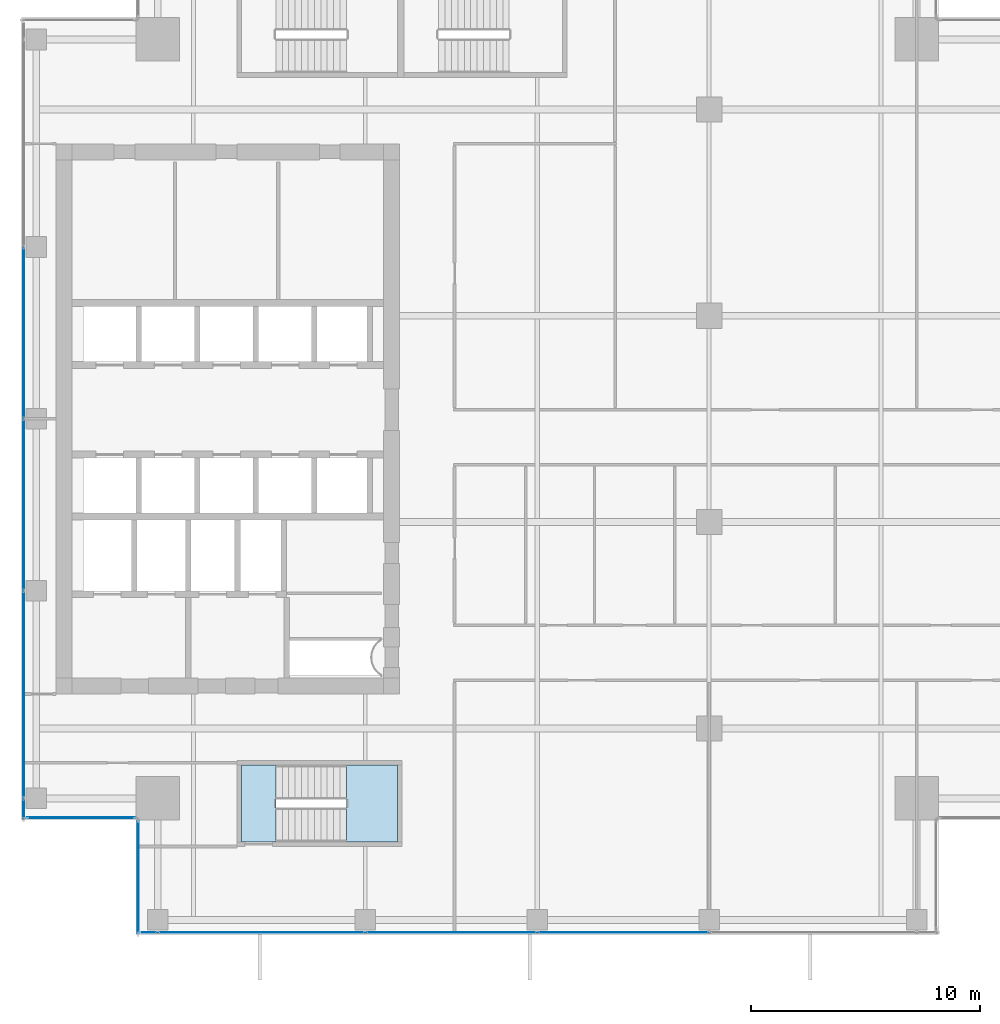
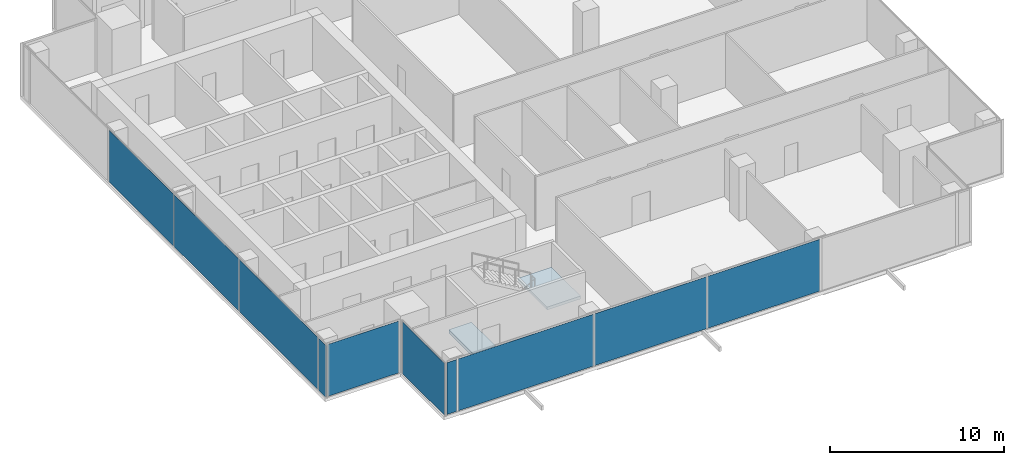
# One storey, part 25 of 34: 10 plates, 2 slabs, 5 elements without a shape of their own.
"""IFC4 building model written with IfcOpenShell, lengths in metres."""

from ifc_helpers import new_model, si_unit, direction, frame, origin, origin_2d, place, context, subcontext, project, spatial, polyline, rectangle, outline, extrude, source, transform, mapped, material, layer, layer_set, type_object, element, aggregate, save


model = new_model("IFC4")

# Units and contexts
model_context = context("Model", 3, precision=1e-05, world=origin(), true_north=direction((0.0, 1.0)))
body_context = subcontext(model_context, "Body", "Model", "MODEL_VIEW")
ifc_project = project(units=[si_unit("LENGTHUNIT", "METRE"), si_unit("AREAUNIT", "SQUARE_METRE"), si_unit("VOLUMEUNIT", "CUBIC_METRE"), si_unit("PLANEANGLEUNIT", "RADIAN"), si_unit("MASSUNIT", "GRAM", prefix="KILO")], contexts=[model_context])

# Site, building, storey
site_placement = place(None, origin())
site = spatial("IfcSite", under=ifc_project, at=site_placement, CompositionType="ELEMENT")
building_placement = place(site_placement, origin())
building = spatial("IfcBuilding", under=site, at=building_placement, Name="Khomas Fold Tower", CompositionType="ELEMENT")
storey_placement = place(building_placement, frame((0.0, 0.0, 242.199951171875)))
storey = spatial("IfcBuildingStorey", under=building, at=storey_placement, Name="L54", CompositionType="ELEMENT", Elevation=242.199951171875)

# Curtain wall, plates
ifc_material_1 = material(Name="Aluminium framed double glazing", Category="aluminium")
curtain_wall_type = type_object("IfcCurtainWallType", Name="SK-Unitised clear-glass wall, office floors CW2", PredefinedType="NOTDEFINED", material=ifc_material_1)
curtain_wall_1_placement = place(storey_placement, origin())
curtain_wall_1 = element("IfcCurtainWall", 1, at=curtain_wall_1_placement, inside=storey, type_object=curtain_wall_type, Name="CW2 run L54 00-0", PredefinedType="NOTDEFINED")
ifc_material_2 = material(Name="Clear double glazed unit")
ifc_layer_1 = layer(ifc_material_2, 0.030029296875)
ifc_layer_set_1 = layer_set([ifc_layer_1], Name="Clear double glazed unit")
plate_type = type_object("IfcPlateType", Name="SK-Unitised clear-glass wall, office floors glass panel CW2-P", PredefinedType="CURTAIN_PANEL", material=ifc_layer_set_1)
shared_shape_1 = source(origin(), body_context, "Body", "SweptSolid", [
    extrude(rectangle(XDim=0.659912109375, YDim=0.030029296875, at=origin_2d()), origin(), (0.0, 0.0, 1.0), 3.639892578125),
])
plate_1_placement = place(storey_placement, frame((10.090087890625, 4.60009765625, 0.0), z_axis=(0.0, 0.0, 1.0), x_axis=(1.0, 0.0, 0.0)))
plate_1 = element("IfcPlate", 2, at=plate_1_placement, type_object=plate_type, Name="CW2 glass panel 1", PredefinedType="CURTAIN_PANEL", context=body_context, shape_type="MappedRepresentation", body=[
    mapped(shared_shape_1, transform((0.0, 0.0, 0.0))),
])
shared_shape_2 = source(origin(), body_context, "Body", "SweptSolid", [
    extrude(rectangle(XDim=7.43994140625, YDim=0.030029296875, at=origin_2d()), origin(), (0.0, 0.0, 1.0), 3.639892578125),
])
plate_2_placement = place(storey_placement, frame((23.25, 4.60009765625, 0.0), z_axis=(0.0, 0.0, 1.0), x_axis=(1.0, 0.0, 0.0)))
plate_2 = element("IfcPlate", 3, at=plate_2_placement, type_object=plate_type, Name="CW2 glass panel 3", PredefinedType="CURTAIN_PANEL", context=body_context, shape_type="MappedRepresentation", body=[
    mapped(shared_shape_2, transform((0.0, 0.0, 0.0))),
])
plate_3_placement = place(storey_placement, frame((30.75, 4.60009765625, 0.0), z_axis=(0.0, 0.0, 1.0), x_axis=(1.0, 0.0, 0.0)))
plate_3 = element("IfcPlate", 4, at=plate_3_placement, type_object=plate_type, Name="CW2 glass panel 4", PredefinedType="CURTAIN_PANEL", context=body_context, shape_type="MappedRepresentation", body=[
    mapped(shared_shape_2, transform((0.0, 0.0, 0.0))),
])

curtain_wall_2_placement = place(storey_placement, origin())
curtain_wall_2 = element("IfcCurtainWall", 5, at=curtain_wall_2_placement, inside=storey, type_object=curtain_wall_type, Name="CW2 run L54 09-0", PredefinedType="NOTDEFINED")
plate_4_placement = place(storey_placement, frame((4.60009765625, 30.75, 0.0), z_axis=(0.0, 0.0, 1.0), x_axis=(0.0, -1.0, 0.0)))
plate_4 = element("IfcPlate", 6, at=plate_4_placement, type_object=plate_type, Name="CW2 glass panel 3", PredefinedType="CURTAIN_PANEL", context=body_context, shape_type="MappedRepresentation", body=[
    mapped(shared_shape_2, transform((0.0, 0.0, 0.0))),
])
plate_5_placement = place(storey_placement, frame((4.60009765625, 23.25, 0.0), z_axis=(0.0, 0.0, 1.0), x_axis=(0.0, -1.0, 0.0)))
plate_5 = element("IfcPlate", 7, at=plate_5_placement, type_object=plate_type, Name="CW2 glass panel 4", PredefinedType="CURTAIN_PANEL", context=body_context, shape_type="MappedRepresentation", body=[
    mapped(shared_shape_2, transform((0.0, 0.0, 0.0))),
])
shared_shape_3 = source(origin(), body_context, "Body", "SweptSolid", [
    extrude(rectangle(XDim=0.860107421875, YDim=0.030029296875, at=origin_2d()), origin(), (0.0, 0.0, 1.0), 3.639892578125),
])
plate_6_placement = place(storey_placement, frame((4.60009765625, 9.989990234375, 0.0), z_axis=(0.0, 0.0, 1.0), x_axis=(0.0, -1.0, 0.0)))
plate_6 = element("IfcPlate", 8, at=plate_6_placement, type_object=plate_type, Name="CW2 glass panel 6", PredefinedType="CURTAIN_PANEL", context=body_context, shape_type="MappedRepresentation", body=[
    mapped(shared_shape_3, transform((0.0, 0.0, 0.0))),
])

# Plate
shared_shape_4 = source(origin(), body_context, "Body", "SweptSolid", [
    extrude(rectangle(XDim=8.989990234375, YDim=0.030029296875, at=origin_2d()), origin(), (0.0, 0.0, 1.0), 3.639892578125),
])
plate_7_placement = place(storey_placement, frame((14.97509765625, 4.60009765625, 0.0), z_axis=(0.0, 0.0, 1.0), x_axis=(1.0, 0.0, 0.0)))
plate_7 = element("IfcPlate", 9, at=plate_7_placement, type_object=plate_type, Name="CW2 glass panel 2", PredefinedType="CURTAIN_PANEL", context=body_context, shape_type="MappedRepresentation", body=[
    mapped(shared_shape_4, transform((0.0, 0.0, 0.0))),
])

aggregate(curtain_wall_1, [plate_1, plate_7, plate_2, plate_3])

plate_8_placement = place(storey_placement, frame((4.60009765625, 14.97509765625, 0.0), z_axis=(0.0, 0.0, 1.0), x_axis=(0.0, -1.0, 0.0)))
plate_8 = element("IfcPlate", 10, at=plate_8_placement, type_object=plate_type, Name="CW2 glass panel 5", PredefinedType="CURTAIN_PANEL", context=body_context, shape_type="MappedRepresentation", body=[
    mapped(shared_shape_4, transform((0.0, 0.0, 0.0))),
])

aggregate(curtain_wall_2, [plate_4, plate_5, plate_8, plate_6])

# Curtain wall, plate
curtain_wall_3_placement = place(storey_placement, origin())
curtain_wall_3 = element("IfcCurtainWall", 11, at=curtain_wall_3_placement, inside=storey, type_object=curtain_wall_type, Name="CW2 corner return L54 10", PredefinedType="NOTDEFINED")
shared_shape_5 = source(origin(), body_context, "Body", "SweptSolid", [
    extrude(rectangle(XDim=4.679931640625, YDim=0.030029296875, at=origin_2d()), origin(), (0.0, 0.0, 1.0), 3.639892578125),
])
plate_9_placement = place(storey_placement, frame((7.10009765625, 9.60009765625, 0.0), z_axis=(0.0, 0.0, 1.0), x_axis=(1.0, 0.0, 0.0)))
plate_9 = element("IfcPlate", 12, at=plate_9_placement, type_object=plate_type, Name="CW2 glass panel 1", PredefinedType="CURTAIN_PANEL", context=body_context, shape_type="MappedRepresentation", body=[
    mapped(shared_shape_5, transform((0.0, 0.0, 0.0))),
])
aggregate(curtain_wall_3, [plate_9])

curtain_wall_4_placement = place(storey_placement, origin())
curtain_wall_4 = element("IfcCurtainWall", 13, at=curtain_wall_4_placement, inside=storey, type_object=curtain_wall_type, Name="CW2 corner return L54 11", PredefinedType="NOTDEFINED")
shared_shape_6 = source(origin(), body_context, "Body", "SweptSolid", [
    extrude(rectangle(XDim=4.8798828125, YDim=0.030029296875, at=origin_2d()), origin(), (0.0, 0.0, 1.0), 3.639892578125),
])
plate_10_placement = place(storey_placement, frame((9.60009765625, 7.0, 0.0), z_axis=(0.0, 0.0, 1.0), x_axis=(0.0, -1.0, 0.0)))
plate_10 = element("IfcPlate", 14, at=plate_10_placement, type_object=plate_type, Name="CW2 glass panel 1", PredefinedType="CURTAIN_PANEL", context=body_context, shape_type="MappedRepresentation", body=[
    mapped(shared_shape_6, transform((0.0, 0.0, 0.0))),
])
aggregate(curtain_wall_4, [plate_10])

# Stair, slab
ifc_material_3 = material(Name="Concrete C40/50", Category="concrete")
stair_type = type_object("IfcStairType", Name="Stair ST2", PredefinedType="HALF_TURN_STAIR", material=ifc_material_3)
stair_placement = place(storey_placement, origin())
stair = element("IfcStair", 15, at=stair_placement, inside=storey, type_object=stair_type, Name="L54 ST2", PredefinedType="HALF_TURN_STAIR")
ifc_material_4 = material(Name="Concrete C40/50", Category="concrete")
ifc_layer_2 = layer(ifc_material_4, 0.199951171875)
ifc_layer_set_2 = layer_set([ifc_layer_2], Name="Concrete C40/50")
slab_type_1 = type_object("IfcSlabType", Name="Stair landing 200", PredefinedType="LANDING", material=ifc_layer_set_2)
shared_shape_7 = source(origin(), body_context, "Body", "SweptSolid", [
    extrude(outline(polyline([(18.679931640625, 8.550048828125), (20.89990234375, 8.550048828125), (20.89990234375, 11.89990234375), (18.679931640625, 11.89990234375), (18.679931640625, 8.550048828125)])), origin(), (0.0, 0.0, 1.0), 0.199951171875),
])
slab_1_placement = place(storey_placement, frame((0.0, 0.0, 1.800048828125)))
slab_1 = element("IfcSlab", 16, at=slab_1_placement, type_object=slab_type_1, Name="ST2 landing 1", PredefinedType="LANDING", context=body_context, shape_type="MappedRepresentation", body=[
    mapped(shared_shape_7, transform((0.0, 0.0, 0.0))),
])
aggregate(stair, [slab_1])

# Slab
ifc_material_5 = material(Name="Concrete C40/50", Category="concrete")
ifc_layer_3 = layer(ifc_material_5, 0.25)
ifc_layer_set_3 = layer_set([ifc_layer_3], Name="Concrete C40/50")
slab_type_2 = type_object("IfcSlabType", Name="Stair floor landing 250", PredefinedType="LANDING", material=ifc_layer_set_3)
shared_shape_8 = source(origin(), body_context, "Body", "SweptSolid", [
    extrude(outline(polyline([(15.60009765625, 8.550048828125), (14.10009765625, 8.550048828125), (14.10009765625, 11.89990234375), (15.60009765625, 11.89990234375), (15.60009765625, 8.550048828125)])), origin(), (0.0, 0.0, 1.0), 0.25),
])
slab_2_placement = place(storey_placement, frame((0.0, 0.0, -0.25)))
element("IfcSlab", 17, at=slab_2_placement, inside=storey, type_object=slab_type_2, Name="ST2 floor landing", PredefinedType="LANDING", context=body_context, shape_type="MappedRepresentation", body=[
    mapped(shared_shape_8, transform((0.0, 0.0, 0.0))),
])

save(model, "model.ifc")
